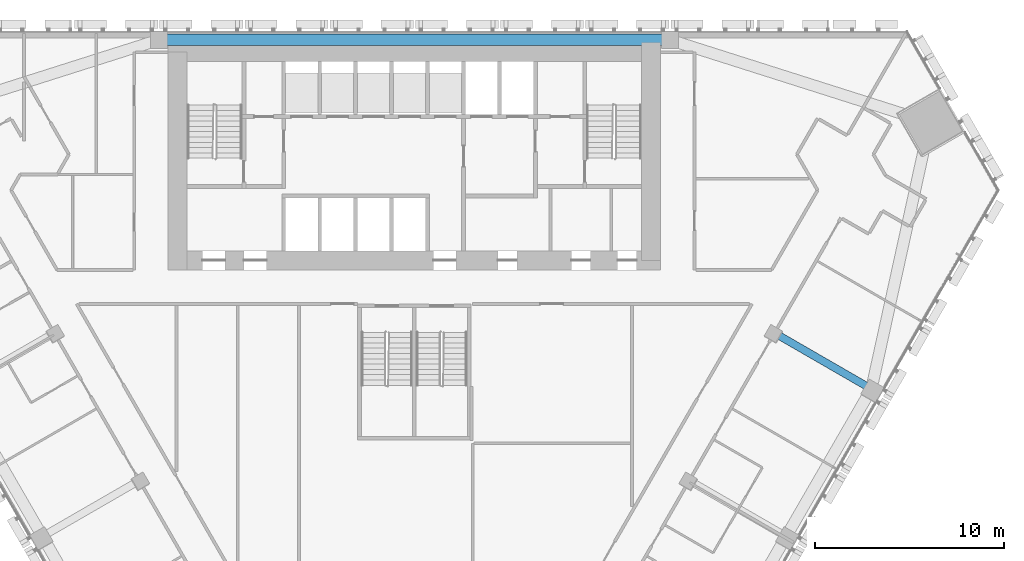
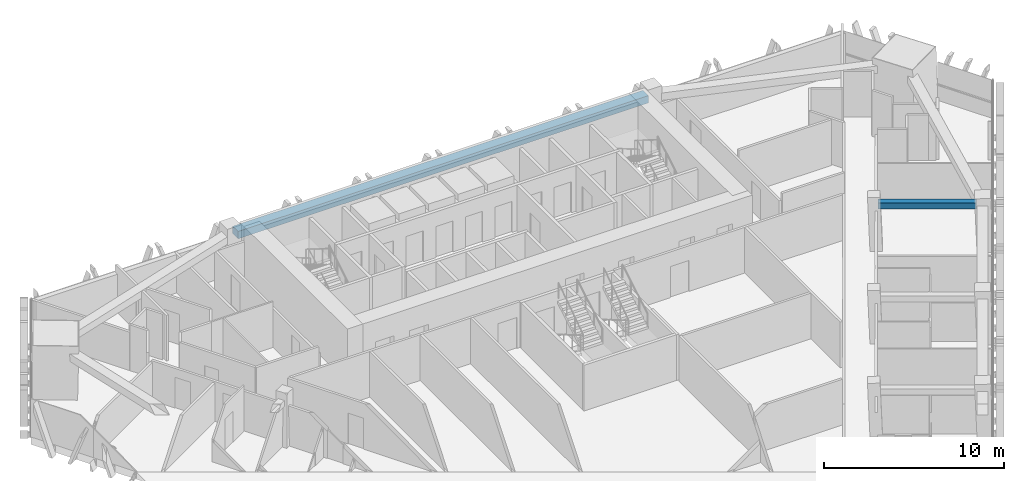
# One storey, part 7 of 18: 2 beams.
"""IFC4 building model written with IfcOpenShell, lengths in metres."""

from ifc_helpers import new_model, si_unit, direction, frame, origin, origin_2d, place, context, subcontext, project, spatial, rectangle, extrude, material, material_profile, profile_set, type_object, element, save


model = new_model("IFC4")

# Units and contexts
model_context = context("Model", 3, precision=1e-05, world=origin(), true_north=direction((0.0, 1.0)))
body_context = subcontext(model_context, "Body", "Model", "MODEL_VIEW")
ifc_project = project(units=[si_unit("LENGTHUNIT", "METRE"), si_unit("AREAUNIT", "SQUARE_METRE"), si_unit("VOLUMEUNIT", "CUBIC_METRE"), si_unit("PLANEANGLEUNIT", "RADIAN"), si_unit("MASSUNIT", "GRAM", prefix="KILO")], contexts=[model_context])

# Site, building, storey
site_placement = place(None, origin())
site = spatial("IfcSite", under=ifc_project, at=site_placement, CompositionType="ELEMENT")
building_placement = place(site_placement, origin())
building = spatial("IfcBuilding", under=site, at=building_placement, Name="Altiplano Prism Tower", CompositionType="ELEMENT")
storey_placement = place(building_placement, frame((0.0, 0.0, 41.39990234375)))
storey = spatial("IfcBuildingStorey", under=building, at=storey_placement, Name="L09", CompositionType="ELEMENT", Elevation=41.39990234375)

# Beams
ifc_material = material(Name="Concrete C60/75", Category="concrete")
ifc_material_profile_1 = material_profile(ifc_material, rectangle(XDim=0.60009765625, YDim=0.5, at=origin_2d()), Name="Edge beam 600x500")
ifc_profile_set_1 = profile_set([ifc_material_profile_1], Name="Concrete C60/75")
beam_type_1 = type_object("IfcBeamType", Name="Edge beam 600x500", PredefinedType="SPANDREL", material=ifc_profile_set_1)
beam_1_placement = place(storey_placement, frame((98.169921875, 104.550048828125, 2.85009765625), z_axis=(-1.0, 0.0, 0.0), x_axis=(0.0, -1.0, 0.0)))
element("IfcBeam", 1, at=beam_1_placement, inside=storey, type_object=beam_type_1, Name="Edge beam P01-P04 L10", PredefinedType="SPANDREL", context=body_context, shape_type="SweptSolid", body=[
    extrude(rectangle(XDim=0.60009765625, YDim=0.5, at=origin_2d()), origin(), (0.0, 0.0, 1.0), 26.33984375),
])
ifc_material_profile_2 = material_profile(ifc_material, rectangle(XDim=0.39990234375, YDim=0.39990234375, at=origin_2d()), Name="Tie beam 400x400")
ifc_profile_set_2 = profile_set([ifc_material_profile_2], Name="Concrete C60/75")
beam_type_2 = type_object("IfcBeamType", Name="Tie beam 400x400", PredefinedType="BEAM", material=ifc_profile_set_2)
beam_2_placement = place(storey_placement, frame((104.106689453125, 89.01904296875, 2.900146484375), z_axis=(0.866031549307, -0.499989355492, 0.0), x_axis=(0.499989355492, 0.866031549307, 0.0)))
element("IfcBeam", 2, at=beam_2_placement, inside=storey, type_object=beam_type_2, Name="Tie beam I24 L10", PredefinedType="BEAM", context=body_context, shape_type="SweptSolid", body=[
    extrude(rectangle(XDim=0.39990234375, YDim=0.39990234375, at=origin_2d()), origin(), (0.0, 0.0, 1.0), 5.48974609375),
])

save(model, "model.ifc")
